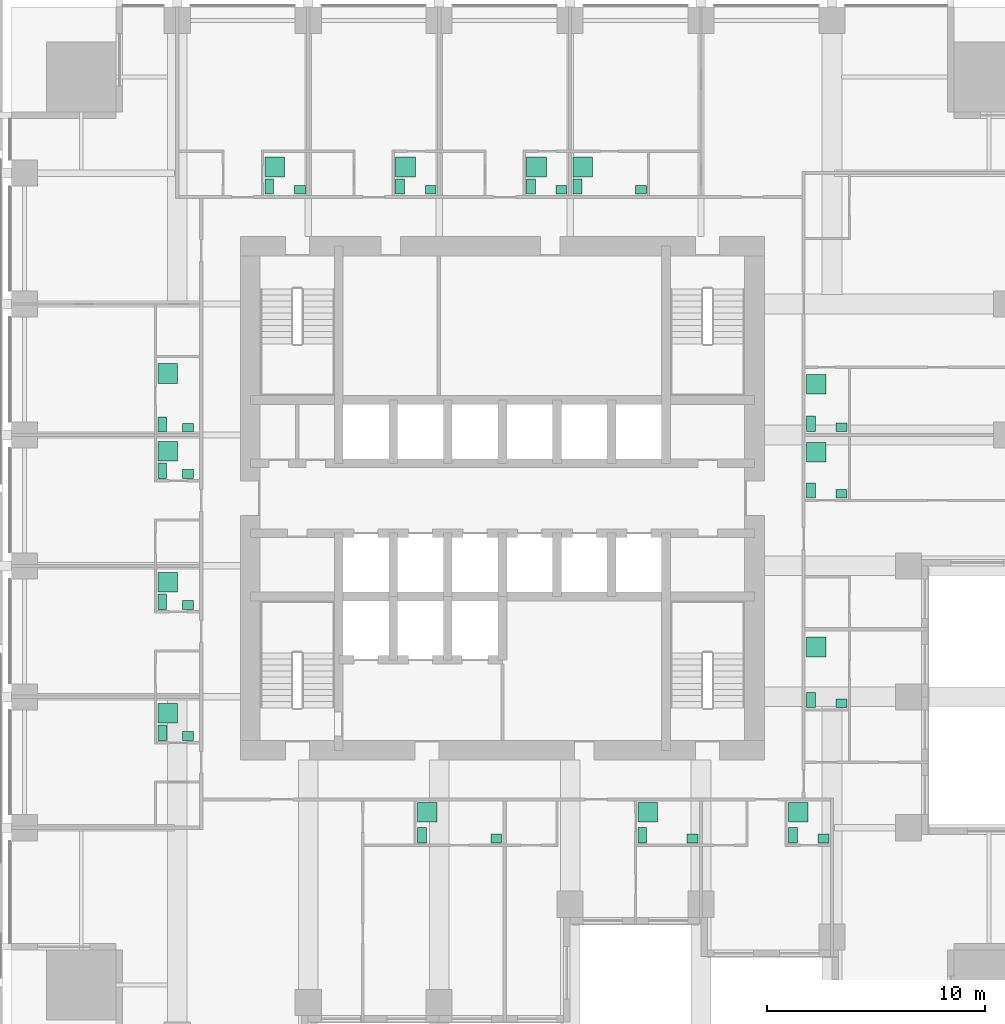
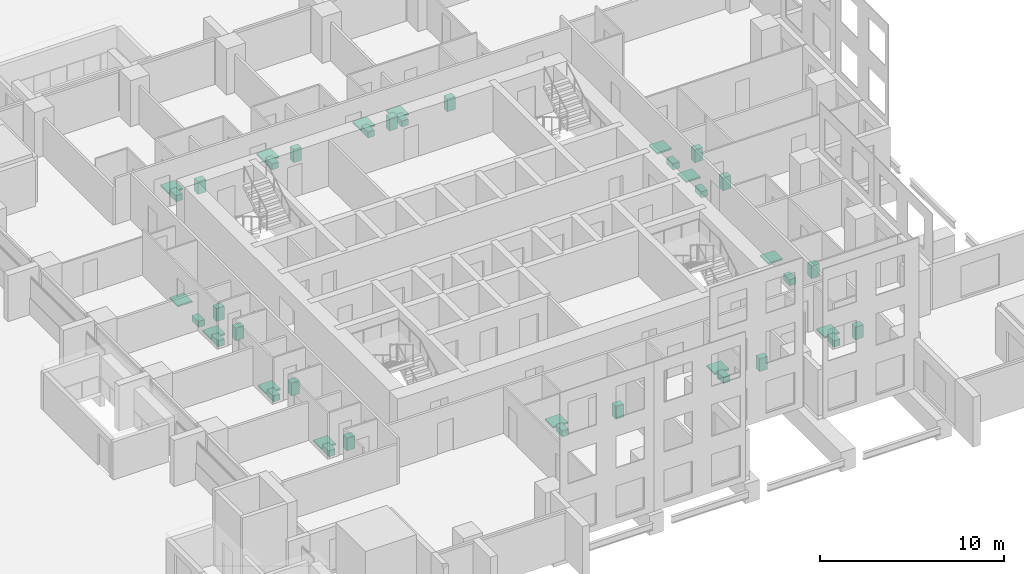
# One storey, part 15 of 15: 42 sanitary terminals.
"""IFC4 building model written with IfcOpenShell, lengths in metres."""

from ifc_helpers import new_model, si_unit, direction, frame, origin, origin_2d, place, context, subcontext, project, spatial, rectangle, extrude, element, save


model = new_model("IFC4")

# Units and contexts
model_context = context("Model", 3, precision=1e-05, world=origin(), true_north=direction((0.0, 1.0)))
body_context = subcontext(model_context, "Body", "Model", "MODEL_VIEW")
ifc_project = project(units=[si_unit("LENGTHUNIT", "METRE"), si_unit("AREAUNIT", "SQUARE_METRE"), si_unit("VOLUMEUNIT", "CUBIC_METRE"), si_unit("PLANEANGLEUNIT", "RADIAN"), si_unit("MASSUNIT", "GRAM", prefix="KILO")], contexts=[model_context])

# Site, building, storey
site_placement = place(None, origin())
site = spatial("IfcSite", under=ifc_project, at=site_placement, CompositionType="ELEMENT")
building_placement = place(site_placement, origin())
building = spatial("IfcBuilding", under=site, at=building_placement, Name="Amberfall Residences", CompositionType="ELEMENT")
storey_placement = place(building_placement, frame((0.0, 0.0, 23.5)))
storey = spatial("IfcBuildingStorey", under=building, at=storey_placement, Name="L05", CompositionType="ELEMENT", Elevation=23.5)

# Sanitary terminals
sanitary_terminal_1_placement = place(storey_placement, frame((70.81005859375, 30.06005859375, 0.0), z_axis=(0.0, 0.0, 1.0), x_axis=(1.0, 0.0, 0.0)))
element("IfcSanitaryTerminal", 1, at=sanitary_terminal_1_placement, inside=storey, Name="Water closet 0501", PredefinedType="TOILETPAN", context=body_context, shape_type="SweptSolid", body=[
    extrude(rectangle(XDim=0.39990234375, YDim=0.699951171875, at=origin_2d()), origin(), (0.0, 0.0, 1.0), 0.39990234375),
])
sanitary_terminal_2_placement = place(storey_placement, frame((74.215087890625, 29.909912109375, 0.0), z_axis=(0.0, 0.0, 1.0), x_axis=(1.0, 0.0, 0.0)))
element("IfcSanitaryTerminal", 2, at=sanitary_terminal_2_placement, inside=storey, Name="Basin 0501", PredefinedType="WASHHANDBASIN", context=body_context, shape_type="SweptSolid", body=[
    extrude(rectangle(XDim=0.5, YDim=0.39990234375, at=origin_2d()), origin(), (0.0, 0.0, 1.0), 0.85009765625),
])
sanitary_terminal_3_placement = place(storey_placement, frame((71.06005859375, 31.114990234375, 0.0), z_axis=(0.0, 0.0, 1.0), x_axis=(1.0, 0.0, 0.0)))
element("IfcSanitaryTerminal", 3, at=sanitary_terminal_3_placement, inside=storey, Name="Shower tray 0501", PredefinedType="SHOWER", context=body_context, shape_type="SweptSolid", body=[
    extrude(rectangle(XDim=0.89990234375, YDim=0.89990234375, at=origin_2d()), origin(), (0.0, 0.0, 1.0), 0.10009765625),
])
sanitary_terminal_4_placement = place(storey_placement, frame((80.909912109375, 30.06005859375, 0.0), z_axis=(0.0, 0.0, 1.0), x_axis=(1.0, 0.0, 0.0)))
element("IfcSanitaryTerminal", 4, at=sanitary_terminal_4_placement, inside=storey, Name="Water closet 0502", PredefinedType="TOILETPAN", context=body_context, shape_type="SweptSolid", body=[
    extrude(rectangle(XDim=0.39990234375, YDim=0.699951171875, at=origin_2d()), origin(), (0.0, 0.0, 1.0), 0.39990234375),
])
sanitary_terminal_5_placement = place(storey_placement, frame((83.215087890625, 29.909912109375, 0.0), z_axis=(0.0, 0.0, 1.0), x_axis=(1.0, 0.0, 0.0)))
element("IfcSanitaryTerminal", 5, at=sanitary_terminal_5_placement, inside=storey, Name="Basin 0502", PredefinedType="WASHHANDBASIN", context=body_context, shape_type="SweptSolid", body=[
    extrude(rectangle(XDim=0.5, YDim=0.39990234375, at=origin_2d()), origin(), (0.0, 0.0, 1.0), 0.85009765625),
])
sanitary_terminal_6_placement = place(storey_placement, frame((81.159912109375, 31.114990234375, 0.0), z_axis=(0.0, 0.0, 1.0), x_axis=(1.0, 0.0, 0.0)))
element("IfcSanitaryTerminal", 6, at=sanitary_terminal_6_placement, inside=storey, Name="Shower tray 0502", PredefinedType="SHOWER", context=body_context, shape_type="SweptSolid", body=[
    extrude(rectangle(XDim=0.89990234375, YDim=0.89990234375, at=origin_2d()), origin(), (0.0, 0.0, 1.0), 0.10009765625),
])
sanitary_terminal_7_placement = place(storey_placement, frame((87.81005859375, 30.06005859375, 0.0), z_axis=(0.0, 0.0, 1.0), x_axis=(1.0, 0.0, 0.0)))
element("IfcSanitaryTerminal", 7, at=sanitary_terminal_7_placement, inside=storey, Name="Water closet 0503", PredefinedType="TOILETPAN", context=body_context, shape_type="SweptSolid", body=[
    extrude(rectangle(XDim=0.39990234375, YDim=0.699951171875, at=origin_2d()), origin(), (0.0, 0.0, 1.0), 0.39990234375),
])
sanitary_terminal_8_placement = place(storey_placement, frame((89.215087890625, 29.909912109375, 0.0), z_axis=(0.0, 0.0, 1.0), x_axis=(1.0, 0.0, 0.0)))
element("IfcSanitaryTerminal", 8, at=sanitary_terminal_8_placement, inside=storey, Name="Basin 0503", PredefinedType="WASHHANDBASIN", context=body_context, shape_type="SweptSolid", body=[
    extrude(rectangle(XDim=0.5, YDim=0.39990234375, at=origin_2d()), origin(), (0.0, 0.0, 1.0), 0.85009765625),
])
sanitary_terminal_9_placement = place(storey_placement, frame((88.06005859375, 31.114990234375, 0.0), z_axis=(0.0, 0.0, 1.0), x_axis=(1.0, 0.0, 0.0)))
element("IfcSanitaryTerminal", 9, at=sanitary_terminal_9_placement, inside=storey, Name="Shower tray 0503", PredefinedType="SHOWER", context=body_context, shape_type="SweptSolid", body=[
    extrude(rectangle(XDim=0.89990234375, YDim=0.89990234375, at=origin_2d()), origin(), (0.0, 0.0, 1.0), 0.10009765625),
])
sanitary_terminal_10_placement = place(storey_placement, frame((88.635009765625, 36.260009765625, 0.0), z_axis=(0.0, 0.0, 1.0), x_axis=(1.0, 0.0, 0.0)))
element("IfcSanitaryTerminal", 10, at=sanitary_terminal_10_placement, inside=storey, Name="Water closet 0504", PredefinedType="TOILETPAN", context=body_context, shape_type="SweptSolid", body=[
    extrude(rectangle(XDim=0.39990234375, YDim=0.699951171875, at=origin_2d()), origin(), (0.0, 0.0, 1.0), 0.39990234375),
])
sanitary_terminal_11_placement = place(storey_placement, frame((90.0400390625, 36.110107421875, 0.0), z_axis=(0.0, 0.0, 1.0), x_axis=(1.0, 0.0, 0.0)))
element("IfcSanitaryTerminal", 11, at=sanitary_terminal_11_placement, inside=storey, Name="Basin 0504", PredefinedType="WASHHANDBASIN", context=body_context, shape_type="SweptSolid", body=[
    extrude(rectangle(XDim=0.5, YDim=0.39990234375, at=origin_2d()), origin(), (0.0, 0.0, 1.0), 0.85009765625),
])
sanitary_terminal_12_placement = place(storey_placement, frame((88.885009765625, 38.6826171875, 0.0), z_axis=(0.0, 0.0, 1.0), x_axis=(1.0, 0.0, 0.0)))
element("IfcSanitaryTerminal", 12, at=sanitary_terminal_12_placement, inside=storey, Name="Shower tray 0504", PredefinedType="SHOWER", context=body_context, shape_type="SweptSolid", body=[
    extrude(rectangle(XDim=0.89990234375, YDim=0.89990234375, at=origin_2d()), origin(), (0.0, 0.0, 1.0), 0.10009765625),
])
sanitary_terminal_13_placement = place(storey_placement, frame((88.635009765625, 45.860107421875, 0.0), z_axis=(0.0, 0.0, 1.0), x_axis=(1.0, 0.0, 0.0)))
element("IfcSanitaryTerminal", 13, at=sanitary_terminal_13_placement, inside=storey, Name="Water closet 0505", PredefinedType="TOILETPAN", context=body_context, shape_type="SweptSolid", body=[
    extrude(rectangle(XDim=0.39990234375, YDim=0.699951171875, at=origin_2d()), origin(), (0.0, 0.0, 1.0), 0.39990234375),
])
sanitary_terminal_14_placement = place(storey_placement, frame((90.0400390625, 45.7099609375, 0.0), z_axis=(0.0, 0.0, 1.0), x_axis=(1.0, 0.0, 0.0)))
element("IfcSanitaryTerminal", 14, at=sanitary_terminal_14_placement, inside=storey, Name="Basin 0505", PredefinedType="WASHHANDBASIN", context=body_context, shape_type="SweptSolid", body=[
    extrude(rectangle(XDim=0.5, YDim=0.39990234375, at=origin_2d()), origin(), (0.0, 0.0, 1.0), 0.85009765625),
])
sanitary_terminal_15_placement = place(storey_placement, frame((88.885009765625, 47.60888671875, 0.0), z_axis=(0.0, 0.0, 1.0), x_axis=(1.0, 0.0, 0.0)))
element("IfcSanitaryTerminal", 15, at=sanitary_terminal_15_placement, inside=storey, Name="Shower tray 0505", PredefinedType="SHOWER", context=body_context, shape_type="SweptSolid", body=[
    extrude(rectangle(XDim=0.89990234375, YDim=0.89990234375, at=origin_2d()), origin(), (0.0, 0.0, 1.0), 0.10009765625),
])
sanitary_terminal_16_placement = place(storey_placement, frame((88.635009765625, 48.909912109375, 0.0), z_axis=(0.0, 0.0, 1.0), x_axis=(1.0, 0.0, 0.0)))
element("IfcSanitaryTerminal", 16, at=sanitary_terminal_16_placement, inside=storey, Name="Water closet 0506", PredefinedType="TOILETPAN", context=body_context, shape_type="SweptSolid", body=[
    extrude(rectangle(XDim=0.39990234375, YDim=0.699951171875, at=origin_2d()), origin(), (0.0, 0.0, 1.0), 0.39990234375),
])
sanitary_terminal_17_placement = place(storey_placement, frame((90.0400390625, 48.760009765625, 0.0), z_axis=(0.0, 0.0, 1.0), x_axis=(1.0, 0.0, 0.0)))
element("IfcSanitaryTerminal", 17, at=sanitary_terminal_17_placement, inside=storey, Name="Basin 0506", PredefinedType="WASHHANDBASIN", context=body_context, shape_type="SweptSolid", body=[
    extrude(rectangle(XDim=0.5, YDim=0.39990234375, at=origin_2d()), origin(), (0.0, 0.0, 1.0), 0.85009765625),
])
sanitary_terminal_18_placement = place(storey_placement, frame((88.885009765625, 50.7255859375, 0.0), z_axis=(0.0, 0.0, 1.0), x_axis=(1.0, 0.0, 0.0)))
element("IfcSanitaryTerminal", 18, at=sanitary_terminal_18_placement, inside=storey, Name="Shower tray 0506", PredefinedType="SHOWER", context=body_context, shape_type="SweptSolid", body=[
    extrude(rectangle(XDim=0.89990234375, YDim=0.89990234375, at=origin_2d()), origin(), (0.0, 0.0, 1.0), 0.10009765625),
])
sanitary_terminal_19_placement = place(storey_placement, frame((63.81005859375, 59.784912109375, 0.0), z_axis=(0.0, 0.0, 1.0), x_axis=(1.0, 0.0, 0.0)))
element("IfcSanitaryTerminal", 19, at=sanitary_terminal_19_placement, inside=storey, Name="Water closet 0507", PredefinedType="TOILETPAN", context=body_context, shape_type="SweptSolid", body=[
    extrude(rectangle(XDim=0.39990234375, YDim=0.699951171875, at=origin_2d()), origin(), (0.0, 0.0, 1.0), 0.39990234375),
])
sanitary_terminal_20_placement = place(storey_placement, frame((65.215087890625, 59.635009765625, 0.0), z_axis=(0.0, 0.0, 1.0), x_axis=(1.0, 0.0, 0.0)))
element("IfcSanitaryTerminal", 20, at=sanitary_terminal_20_placement, inside=storey, Name="Basin 0507", PredefinedType="WASHHANDBASIN", context=body_context, shape_type="SweptSolid", body=[
    extrude(rectangle(XDim=0.5, YDim=0.39990234375, at=origin_2d()), origin(), (0.0, 0.0, 1.0), 0.85009765625),
])
sanitary_terminal_21_placement = place(storey_placement, frame((64.06005859375, 60.680908203125, 0.0), z_axis=(0.0, 0.0, 1.0), x_axis=(1.0, 0.0, 0.0)))
element("IfcSanitaryTerminal", 21, at=sanitary_terminal_21_placement, inside=storey, Name="Shower tray 0507", PredefinedType="SHOWER", context=body_context, shape_type="SweptSolid", body=[
    extrude(rectangle(XDim=0.89990234375, YDim=0.89990234375, at=origin_2d()), origin(), (0.0, 0.0, 1.0), 0.10009765625),
])
sanitary_terminal_22_placement = place(storey_placement, frame((69.81005859375, 59.784912109375, 0.0), z_axis=(0.0, 0.0, 1.0), x_axis=(1.0, 0.0, 0.0)))
element("IfcSanitaryTerminal", 22, at=sanitary_terminal_22_placement, inside=storey, Name="Water closet 0508", PredefinedType="TOILETPAN", context=body_context, shape_type="SweptSolid", body=[
    extrude(rectangle(XDim=0.39990234375, YDim=0.699951171875, at=origin_2d()), origin(), (0.0, 0.0, 1.0), 0.39990234375),
])
sanitary_terminal_23_placement = place(storey_placement, frame((71.215087890625, 59.635009765625, 0.0), z_axis=(0.0, 0.0, 1.0), x_axis=(1.0, 0.0, 0.0)))
element("IfcSanitaryTerminal", 23, at=sanitary_terminal_23_placement, inside=storey, Name="Basin 0508", PredefinedType="WASHHANDBASIN", context=body_context, shape_type="SweptSolid", body=[
    extrude(rectangle(XDim=0.5, YDim=0.39990234375, at=origin_2d()), origin(), (0.0, 0.0, 1.0), 0.85009765625),
])
sanitary_terminal_24_placement = place(storey_placement, frame((70.06005859375, 60.680908203125, 0.0), z_axis=(0.0, 0.0, 1.0), x_axis=(1.0, 0.0, 0.0)))
element("IfcSanitaryTerminal", 24, at=sanitary_terminal_24_placement, inside=storey, Name="Shower tray 0508", PredefinedType="SHOWER", context=body_context, shape_type="SweptSolid", body=[
    extrude(rectangle(XDim=0.89990234375, YDim=0.89990234375, at=origin_2d()), origin(), (0.0, 0.0, 1.0), 0.10009765625),
])
sanitary_terminal_25_placement = place(storey_placement, frame((75.81005859375, 59.784912109375, 0.0), z_axis=(0.0, 0.0, 1.0), x_axis=(1.0, 0.0, 0.0)))
element("IfcSanitaryTerminal", 25, at=sanitary_terminal_25_placement, inside=storey, Name="Water closet 0509", PredefinedType="TOILETPAN", context=body_context, shape_type="SweptSolid", body=[
    extrude(rectangle(XDim=0.39990234375, YDim=0.699951171875, at=origin_2d()), origin(), (0.0, 0.0, 1.0), 0.39990234375),
])
sanitary_terminal_26_placement = place(storey_placement, frame((77.215087890625, 59.635009765625, 0.0), z_axis=(0.0, 0.0, 1.0), x_axis=(1.0, 0.0, 0.0)))
element("IfcSanitaryTerminal", 26, at=sanitary_terminal_26_placement, inside=storey, Name="Basin 0509", PredefinedType="WASHHANDBASIN", context=body_context, shape_type="SweptSolid", body=[
    extrude(rectangle(XDim=0.5, YDim=0.39990234375, at=origin_2d()), origin(), (0.0, 0.0, 1.0), 0.85009765625),
])
sanitary_terminal_27_placement = place(storey_placement, frame((76.06005859375, 60.680908203125, 0.0), z_axis=(0.0, 0.0, 1.0), x_axis=(1.0, 0.0, 0.0)))
element("IfcSanitaryTerminal", 27, at=sanitary_terminal_27_placement, inside=storey, Name="Shower tray 0509", PredefinedType="SHOWER", context=body_context, shape_type="SweptSolid", body=[
    extrude(rectangle(XDim=0.89990234375, YDim=0.89990234375, at=origin_2d()), origin(), (0.0, 0.0, 1.0), 0.10009765625),
])
sanitary_terminal_28_placement = place(storey_placement, frame((77.93505859375, 59.784912109375, 0.0), z_axis=(0.0, 0.0, 1.0), x_axis=(1.0, 0.0, 0.0)))
element("IfcSanitaryTerminal", 28, at=sanitary_terminal_28_placement, inside=storey, Name="Water closet 0510", PredefinedType="TOILETPAN", context=body_context, shape_type="SweptSolid", body=[
    extrude(rectangle(XDim=0.39990234375, YDim=0.699951171875, at=origin_2d()), origin(), (0.0, 0.0, 1.0), 0.39990234375),
])
sanitary_terminal_29_placement = place(storey_placement, frame((80.840087890625, 59.635009765625, 0.0), z_axis=(0.0, 0.0, 1.0), x_axis=(1.0, 0.0, 0.0)))
element("IfcSanitaryTerminal", 29, at=sanitary_terminal_29_placement, inside=storey, Name="Basin 0510", PredefinedType="WASHHANDBASIN", context=body_context, shape_type="SweptSolid", body=[
    extrude(rectangle(XDim=0.5, YDim=0.39990234375, at=origin_2d()), origin(), (0.0, 0.0, 1.0), 0.85009765625),
])
sanitary_terminal_30_placement = place(storey_placement, frame((78.18505859375, 60.680908203125, 0.0), z_axis=(0.0, 0.0, 1.0), x_axis=(1.0, 0.0, 0.0)))
element("IfcSanitaryTerminal", 30, at=sanitary_terminal_30_placement, inside=storey, Name="Shower tray 0510", PredefinedType="SHOWER", context=body_context, shape_type="SweptSolid", body=[
    extrude(rectangle(XDim=0.89990234375, YDim=0.89990234375, at=origin_2d()), origin(), (0.0, 0.0, 1.0), 0.10009765625),
])
sanitary_terminal_31_placement = place(storey_placement, frame((58.909912109375, 34.760009765625, 0.0), z_axis=(0.0, 0.0, 1.0), x_axis=(1.0, 0.0, 0.0)))
element("IfcSanitaryTerminal", 31, at=sanitary_terminal_31_placement, inside=storey, Name="Water closet 0511", PredefinedType="TOILETPAN", context=body_context, shape_type="SweptSolid", body=[
    extrude(rectangle(XDim=0.39990234375, YDim=0.699951171875, at=origin_2d()), origin(), (0.0, 0.0, 1.0), 0.39990234375),
])
sanitary_terminal_32_placement = place(storey_placement, frame((60.089111328125, 34.610107421875, 0.0), z_axis=(0.0, 0.0, 1.0), x_axis=(1.0, 0.0, 0.0)))
element("IfcSanitaryTerminal", 32, at=sanitary_terminal_32_placement, inside=storey, Name="Basin 0511", PredefinedType="WASHHANDBASIN", context=body_context, shape_type="SweptSolid", body=[
    extrude(rectangle(XDim=0.5, YDim=0.39990234375, at=origin_2d()), origin(), (0.0, 0.0, 1.0), 0.85009765625),
])
sanitary_terminal_33_placement = place(storey_placement, frame((59.159912109375, 35.65576171875, 0.0), z_axis=(0.0, 0.0, 1.0), x_axis=(1.0, 0.0, 0.0)))
element("IfcSanitaryTerminal", 33, at=sanitary_terminal_33_placement, inside=storey, Name="Shower tray 0511", PredefinedType="SHOWER", context=body_context, shape_type="SweptSolid", body=[
    extrude(rectangle(XDim=0.89990234375, YDim=0.89990234375, at=origin_2d()), origin(), (0.0, 0.0, 1.0), 0.10009765625),
])
sanitary_terminal_34_placement = place(storey_placement, frame((58.909912109375, 40.760009765625, 0.0), z_axis=(0.0, 0.0, 1.0), x_axis=(1.0, 0.0, 0.0)))
element("IfcSanitaryTerminal", 34, at=sanitary_terminal_34_placement, inside=storey, Name="Water closet 0512", PredefinedType="TOILETPAN", context=body_context, shape_type="SweptSolid", body=[
    extrude(rectangle(XDim=0.39990234375, YDim=0.699951171875, at=origin_2d()), origin(), (0.0, 0.0, 1.0), 0.39990234375),
])
sanitary_terminal_35_placement = place(storey_placement, frame((60.089111328125, 40.610107421875, 0.0), z_axis=(0.0, 0.0, 1.0), x_axis=(1.0, 0.0, 0.0)))
element("IfcSanitaryTerminal", 35, at=sanitary_terminal_35_placement, inside=storey, Name="Basin 0512", PredefinedType="WASHHANDBASIN", context=body_context, shape_type="SweptSolid", body=[
    extrude(rectangle(XDim=0.5, YDim=0.39990234375, at=origin_2d()), origin(), (0.0, 0.0, 1.0), 0.85009765625),
])
sanitary_terminal_36_placement = place(storey_placement, frame((59.159912109375, 41.65576171875, 0.0), z_axis=(0.0, 0.0, 1.0), x_axis=(1.0, 0.0, 0.0)))
element("IfcSanitaryTerminal", 36, at=sanitary_terminal_36_placement, inside=storey, Name="Shower tray 0512", PredefinedType="SHOWER", context=body_context, shape_type="SweptSolid", body=[
    extrude(rectangle(XDim=0.89990234375, YDim=0.89990234375, at=origin_2d()), origin(), (0.0, 0.0, 1.0), 0.10009765625),
])
sanitary_terminal_37_placement = place(storey_placement, frame((58.909912109375, 46.760009765625, 0.0), z_axis=(0.0, 0.0, 1.0), x_axis=(1.0, 0.0, 0.0)))
element("IfcSanitaryTerminal", 37, at=sanitary_terminal_37_placement, inside=storey, Name="Water closet 0513", PredefinedType="TOILETPAN", context=body_context, shape_type="SweptSolid", body=[
    extrude(rectangle(XDim=0.39990234375, YDim=0.699951171875, at=origin_2d()), origin(), (0.0, 0.0, 1.0), 0.39990234375),
])
sanitary_terminal_38_placement = place(storey_placement, frame((60.089111328125, 46.610107421875, 0.0), z_axis=(0.0, 0.0, 1.0), x_axis=(1.0, 0.0, 0.0)))
element("IfcSanitaryTerminal", 38, at=sanitary_terminal_38_placement, inside=storey, Name="Basin 0513", PredefinedType="WASHHANDBASIN", context=body_context, shape_type="SweptSolid", body=[
    extrude(rectangle(XDim=0.5, YDim=0.39990234375, at=origin_2d()), origin(), (0.0, 0.0, 1.0), 0.85009765625),
])
sanitary_terminal_39_placement = place(storey_placement, frame((59.159912109375, 47.65576171875, 0.0), z_axis=(0.0, 0.0, 1.0), x_axis=(1.0, 0.0, 0.0)))
element("IfcSanitaryTerminal", 39, at=sanitary_terminal_39_placement, inside=storey, Name="Shower tray 0513", PredefinedType="SHOWER", context=body_context, shape_type="SweptSolid", body=[
    extrude(rectangle(XDim=0.89990234375, YDim=0.89990234375, at=origin_2d()), origin(), (0.0, 0.0, 1.0), 0.10009765625),
])
sanitary_terminal_40_placement = place(storey_placement, frame((58.909912109375, 48.885009765625, 0.0), z_axis=(0.0, 0.0, 1.0), x_axis=(1.0, 0.0, 0.0)))
element("IfcSanitaryTerminal", 40, at=sanitary_terminal_40_placement, inside=storey, Name="Water closet 0514", PredefinedType="TOILETPAN", context=body_context, shape_type="SweptSolid", body=[
    extrude(rectangle(XDim=0.39990234375, YDim=0.699951171875, at=origin_2d()), origin(), (0.0, 0.0, 1.0), 0.39990234375),
])
sanitary_terminal_41_placement = place(storey_placement, frame((60.089111328125, 48.735107421875, 0.0), z_axis=(0.0, 0.0, 1.0), x_axis=(1.0, 0.0, 0.0)))
element("IfcSanitaryTerminal", 41, at=sanitary_terminal_41_placement, inside=storey, Name="Basin 0514", PredefinedType="WASHHANDBASIN", context=body_context, shape_type="SweptSolid", body=[
    extrude(rectangle(XDim=0.5, YDim=0.39990234375, at=origin_2d()), origin(), (0.0, 0.0, 1.0), 0.85009765625),
])
sanitary_terminal_42_placement = place(storey_placement, frame((59.159912109375, 51.216796875, 0.0), z_axis=(0.0, 0.0, 1.0), x_axis=(1.0, 0.0, 0.0)))
element("IfcSanitaryTerminal", 42, at=sanitary_terminal_42_placement, inside=storey, Name="Shower tray 0514", PredefinedType="SHOWER", context=body_context, shape_type="SweptSolid", body=[
    extrude(rectangle(XDim=0.89990234375, YDim=0.89990234375, at=origin_2d()), origin(), (0.0, 0.0, 1.0), 0.10009765625),
])

save(model, "model.ifc")
